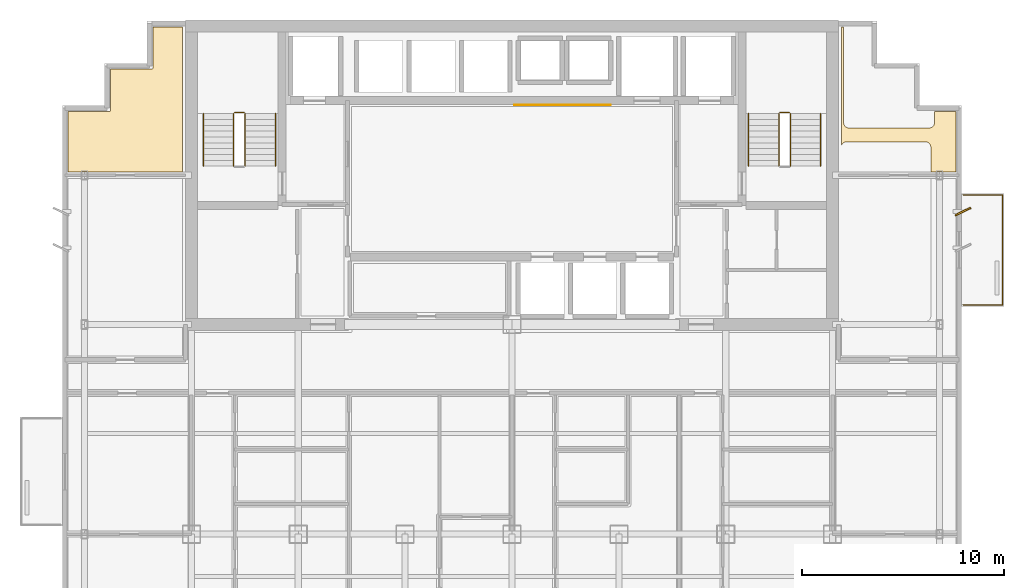
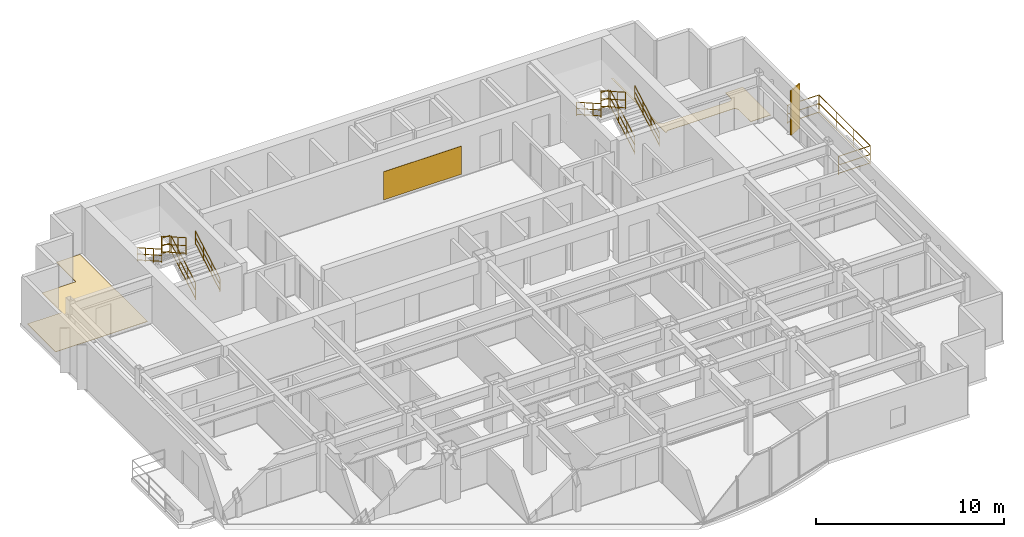
# One storey, part 11 of 11: 11 railings, 3 coverings, 1 shading device.
"""IFC4 building model written with IfcOpenShell, lengths in metres."""

from ifc_helpers import new_model, si_unit, direction, frame, origin, origin_2d, place, context, subcontext, project, spatial, polyline, rectangle, circle, outline, extrude, source, transform, mapped, material, layer, layer_set, type_object, element, save


model = new_model("IFC4")

# Units and contexts
model_context = context("Model", 3, precision=1e-05, world=origin(), true_north=direction((0.0, 1.0)))
body_context = subcontext(model_context, "Body", "Model", "MODEL_VIEW")
ifc_project = project(units=[si_unit("LENGTHUNIT", "METRE"), si_unit("AREAUNIT", "SQUARE_METRE"), si_unit("VOLUMEUNIT", "CUBIC_METRE"), si_unit("PLANEANGLEUNIT", "RADIAN"), si_unit("MASSUNIT", "GRAM", prefix="KILO")], contexts=[model_context])

# Site, building, storey
site_placement = place(None, origin())
site = spatial("IfcSite", under=ifc_project, at=site_placement, CompositionType="ELEMENT")
building_placement = place(site_placement, origin())
building = spatial("IfcBuilding", under=site, at=building_placement, Name="Qianlan Lanfeng Residences", CompositionType="ELEMENT")
storey_placement = place(building_placement, frame((0.0, 0.0, 155.699951171875)))
storey = spatial("IfcBuildingStorey", under=building, at=storey_placement, Name="L42", CompositionType="ELEMENT", Elevation=155.699951171875)

# Coverings
ifc_material_1 = material(Name="Anodised Bronze Feature Wall Cladding")
ifc_layer_1 = layer(ifc_material_1, 0.02490234375)
ifc_layer_set_1 = layer_set([ifc_layer_1], Name="Anodised Bronze Feature Wall Cladding")
covering_type_1 = type_object("IfcCoveringType", Name="CLD-BRZ-25", PredefinedType="CLADDING", material=ifc_layer_set_1)
covering_1_placement = place(storey_placement, frame((0.0, 0.0, 0.150146484375)))
element("IfcCovering", 1, at=covering_1_placement, inside=storey, type_object=covering_type_1, Name="L42 Lift Lobby Bronze Feature Cladding", PredefinedType="CLADDING", context=body_context, shape_type="SweptSolid", body=[
    extrude(outline(polyline([(26.60009765625, 36.074951171875), (31.39990234375, 36.074951171875), (31.39990234375, 36.10009765625), (26.60009765625, 36.10009765625), (26.60009765625, 36.074951171875)])), origin(), (0.0, 0.0, 1.0), 1.829833984375),
])
ifc_material_2 = material(Name="Engineered Smoked Oak Timber Flooring", Category="wood")
ifc_layer_2 = layer(ifc_material_2, 0.02197265625)
ifc_layer_set_2 = layer_set([ifc_layer_2], Name="Engineered Smoked Oak Timber Flooring")
covering_type_2 = type_object("IfcCoveringType", Name="FLR-TIM-22", PredefinedType="FLOORING", material=ifc_layer_set_2)
covering_2_placement = place(storey_placement, origin())
element("IfcCovering", 2, at=covering_2_placement, inside=storey, type_object=covering_type_2, Name="L42 Resident Lounge Floor Finish", PredefinedType="FLOORING", context=body_context, shape_type="SweptSolid", body=[
    extrude(outline(polyline([(4.489990234375, 32.75), (10.14990234375, 32.75), (10.14990234375, 39.9599609375), (8.68994140625, 39.9599609375), (8.68994140625, 37.929931640625), (8.68994140625, 37.923095703125), (8.68896484375, 37.916015625), (8.68701171875, 37.909912109375), (8.68505859375, 37.903076171875), (8.681884765625, 37.89697265625), (8.677978515625, 37.89111328125), (8.674072265625, 37.885986328125), (8.6689453125, 37.881103515625), (8.6640625, 37.8759765625), (8.658935546875, 37.8720703125), (8.653076171875, 37.867919921875), (8.64697265625, 37.864990234375), (8.639892578125, 37.863037109375), (8.634033203125, 37.861083984375), (8.626953125, 37.860107421875), (8.6201171875, 37.860107421875), (6.590087890625, 37.860107421875), (6.590087890625, 35.830078125), (6.590087890625, 35.822998046875), (6.589111328125, 35.81591796875), (6.5869140625, 35.81005859375), (6.5849609375, 35.802978515625), (6.58203125, 35.797119140625), (6.577880859375, 35.791015625), (6.573974609375, 35.785888671875), (6.569091796875, 35.781005859375), (6.56396484375, 35.77587890625), (6.55908203125, 35.77197265625), (6.552978515625, 35.76806640625), (6.547119140625, 35.764892578125), (6.5400390625, 35.762939453125), (6.533935546875, 35.760986328125), (6.527099609375, 35.760009765625), (6.52001953125, 35.760009765625), (4.489990234375, 35.760009765625), (4.489990234375, 32.75)])), origin(), (0.0, 0.0, 1.0), 0.02197265625),
])
covering_3_placement = place(storey_placement, origin())
element("IfcCovering", 3, at=covering_3_placement, inside=storey, type_object=covering_type_2, Name="L42 Resident Lounge Floor Finish", PredefinedType="FLOORING", context=body_context, shape_type="SweptSolid", body=[
    extrude(outline(polyline([(42.85009765625, 34.097900390625), (42.860107421875, 34.117919921875), (42.8720703125, 34.138916015625), (42.886962890625, 34.158935546875), (42.903076171875, 34.177001953125), (42.9208984375, 34.193115234375), (42.94091796875, 34.2080078125), (42.9619140625, 34.219970703125), (42.98388671875, 34.23095703125), (43.007080078125, 34.239013671875), (43.031005859375, 34.2451171875), (43.054931640625, 34.2490234375), (43.080078125, 34.25), (47.02001953125, 34.25), (47.044921875, 34.2490234375), (47.069091796875, 34.2451171875), (47.093017578125, 34.239013671875), (47.115966796875, 34.23095703125), (47.137939453125, 34.219970703125), (47.158935546875, 34.2080078125), (47.178955078125, 34.193115234375), (47.197021484375, 34.177001953125), (47.212890625, 34.158935546875), (47.22802734375, 34.138916015625), (47.239990234375, 34.117919921875), (47.2509765625, 34.095947265625), (47.259033203125, 34.072998046875), (47.264892578125, 34.049072265625), (47.26904296875, 34.02490234375), (47.27001953125, 34.0), (47.27001953125, 32.75), (48.510009765625, 32.75), (48.510009765625, 35.760009765625), (47.449951171875, 35.760009765625), (47.449951171875, 35.199951171875), (47.448974609375, 35.175048828125), (47.445068359375, 35.15087890625), (47.43896484375, 35.126953125), (47.430908203125, 35.10400390625), (47.419921875, 35.08203125), (47.407958984375, 35.06103515625), (47.39306640625, 35.041015625), (47.376953125, 35.02294921875), (47.35888671875, 35.007080078125), (47.339111328125, 34.991943359375), (47.318115234375, 34.97998046875), (47.2958984375, 34.968994140625), (47.27294921875, 34.9609375), (47.2490234375, 34.955078125), (47.22509765625, 34.950927734375), (47.199951171875, 34.949951171875), (43.199951171875, 34.949951171875), (43.175048828125, 34.950927734375), (43.15087890625, 34.955078125), (43.126953125, 34.9609375), (43.10400390625, 34.968994140625), (43.08203125, 34.97998046875), (43.06103515625, 34.991943359375), (43.041015625, 35.007080078125), (43.02294921875, 35.02294921875), (43.007080078125, 35.041015625), (42.991943359375, 35.06103515625), (42.97998046875, 35.08203125), (42.968994140625, 35.10400390625), (42.9609375, 35.126953125), (42.955078125, 35.15087890625), (42.950927734375, 35.175048828125), (42.949951171875, 35.199951171875), (42.949951171875, 39.9599609375), (42.85009765625, 39.9599609375), (42.85009765625, 34.097900390625)])), origin(), (0.0, 0.0, 1.0), 0.02197265625),
])

# Railings
ifc_material_3 = material(Name="Anodised Bronze Aluminium and Laminated Glass Guard Balustrade", Category="aluminium")
railing_type_1 = type_object("IfcRailingType", Name="GR-EXT-1220", PredefinedType="BALUSTRADE", material=ifc_material_3)
railing_1_placement = place(storey_placement, frame((48.8701171875, 31.6298828125, 0.0)))
element("IfcRailing", 4, at=railing_1_placement, inside=storey, type_object=railing_type_1, Name="L42 Terrace Safety Guard GR-L42-EB-N", PredefinedType="BALUSTRADE", context=body_context, shape_type="SweptSolid", body=[
    extrude(circle(Radius=0.02490234375, at=origin_2d()), frame((0.0, 0.0, 0.0849609375), z_axis=(1.0, 0.0, 0.0), x_axis=(0.0, 1.0, 0.0)), (0.0, 0.0, 1.0), 1.9599609375),
    extrude(circle(Radius=0.02490234375, at=origin_2d()), frame((0.0, 0.0, 0.63427734375), z_axis=(1.0, 0.0, 0.0), x_axis=(0.0, 1.0, 0.0)), (0.0, 0.0, 1.0), 1.9599609375),
    extrude(circle(Radius=0.02490234375, at=origin_2d()), frame((0.0, 0.0, 1.19482421875), z_axis=(1.0, 0.0, 0.0), x_axis=(0.0, 1.0, 0.0)), (0.0, 0.0, 1.0), 1.9599609375),
    extrude(circle(Radius=0.02490234375, at=origin_2d()), frame((1.9599609375, 0.0, 0.0849609375), z_axis=(0.0, -1.0, 0.0), x_axis=(1.0, 0.0, 0.0)), (0.0, 0.0, 1.0), 5.4599609375),
    extrude(circle(Radius=0.02490234375, at=origin_2d()), frame((1.9599609375, 0.0, 0.63427734375), z_axis=(0.0, -1.0, 0.0), x_axis=(1.0, 0.0, 0.0)), (0.0, 0.0, 1.0), 5.4599609375),
    extrude(circle(Radius=0.02490234375, at=origin_2d()), frame((1.9599609375, 0.0, 1.19482421875), z_axis=(0.0, -1.0, 0.0), x_axis=(1.0, 0.0, 0.0)), (0.0, 0.0, 1.0), 5.4599609375),
    extrude(circle(Radius=0.02490234375, at=origin_2d()), frame((1.9599609375, -5.4599609375, 0.0849609375), z_axis=(-1.0, 0.0, 0.0), x_axis=(0.0, -1.0, 0.0)), (0.0, 0.0, 1.0), 1.9599609375),
    extrude(circle(Radius=0.02490234375, at=origin_2d()), frame((1.9599609375, -5.4599609375, 0.63427734375), z_axis=(-1.0, 0.0, 0.0), x_axis=(0.0, -1.0, 0.0)), (0.0, 0.0, 1.0), 1.9599609375),
    extrude(circle(Radius=0.02490234375, at=origin_2d()), frame((1.9599609375, -5.4599609375, 1.19482421875), z_axis=(-1.0, 0.0, 0.0), x_axis=(0.0, -1.0, 0.0)), (0.0, 0.0, 1.0), 1.9599609375),
    extrude(circle(Radius=0.02099609375, at=origin_2d()), origin(), (0.0, 0.0, 1.0), 1.169921875),
    extrude(circle(Radius=0.02099609375, at=origin_2d()), frame((1.9599609375, 0.0, 0.0)), (0.0, 0.0, 1.0), 1.169921875),
    extrude(circle(Radius=0.02099609375, at=origin_2d()), frame((1.9599609375, -1.820068359375, 0.0)), (0.0, 0.0, 1.0), 1.169921875),
    extrude(circle(Radius=0.02099609375, at=origin_2d()), frame((1.9599609375, -3.639892578125, 0.0)), (0.0, 0.0, 1.0), 1.169921875),
    extrude(circle(Radius=0.02099609375, at=origin_2d()), frame((1.9599609375, -5.4599609375, 0.0)), (0.0, 0.0, 1.0), 1.169921875),
    extrude(circle(Radius=0.02099609375, at=origin_2d()), frame((0.0, -5.4599609375, 0.0)), (0.0, 0.0, 1.0), 1.169921875),
])
ifc_material_4 = material(Name="Painted Galvanised Steel Guardrail", Category="steel")
railing_type_2 = type_object("IfcRailingType", Name="GR-ST-1120", PredefinedType="GUARDRAIL", material=ifc_material_4)
railing_2_placement = place(storey_placement, frame((13.27001953125, 33.050048828125, 0.1650390625)))
element("IfcRailing", 5, at=railing_2_placement, inside=storey, type_object=railing_type_2, Name="L42 ST-1 stair guard 1", PredefinedType="GUARDRAIL", context=body_context, shape_type="SweptSolid", body=[
    extrude(circle(Radius=0.02392578125, at=origin_2d()), frame((0.0, 0.0, 0.083984375), z_axis=(0.0, 0.869137319866, 0.494570843475), x_axis=(-1.0, 0.0, 0.0)), (0.0, 0.0, 1.0), 3.0029296875),
    extrude(circle(Radius=0.02392578125, at=origin_2d()), frame((0.0, 0.0, 0.58251953125), z_axis=(0.0, 0.869137319866, 0.494570843475), x_axis=(-1.0, 0.0, 0.0)), (0.0, 0.0, 1.0), 3.0029296875),
    extrude(circle(Radius=0.02392578125, at=origin_2d()), frame((0.0, 0.0, 1.09619140625), z_axis=(0.0, 0.869137319866, 0.494570843475), x_axis=(-1.0, 0.0, 0.0)), (0.0, 0.0, 1.0), 3.0029296875),
    extrude(circle(Radius=0.02099609375, at=origin_2d()), origin(), (0.0, 0.0, 1.0), 1.072021484375),
    extrude(circle(Radius=0.02099609375, at=origin_2d()), frame((0.0, 0.869873046875, 0.4951171875)), (0.0, 0.0, 1.0), 1.072021484375),
    extrude(circle(Radius=0.02099609375, at=origin_2d()), frame((0.0, 1.739990234375, 0.989990234375)), (0.0, 0.0, 1.0), 1.072021484375),
    extrude(circle(Radius=0.02099609375, at=origin_2d()), frame((0.0, 2.60986328125, 1.485107421875)), (0.0, 0.0, 1.0), 1.072021484375),
])
railing_3_placement = place(storey_placement, frame((13.219970703125, 35.7099609375, 1.650146484375)))
element("IfcRailing", 6, at=railing_3_placement, inside=storey, type_object=railing_type_2, Name="L42 ST-1 stair guard 2", PredefinedType="GUARDRAIL", context=body_context, shape_type="SweptSolid", body=[
    extrude(circle(Radius=0.02392578125, at=origin_2d()), frame((0.0, 0.0, 0.083984375), z_axis=(-1.0, 0.0, 0.0), x_axis=(0.0, -1.0, 0.0)), (0.0, 0.0, 1.0), 0.47998046875),
    extrude(circle(Radius=0.02392578125, at=origin_2d()), frame((0.0, 0.0, 0.58251953125), z_axis=(-1.0, 0.0, 0.0), x_axis=(0.0, -1.0, 0.0)), (0.0, 0.0, 1.0), 0.47998046875),
    extrude(circle(Radius=0.02392578125, at=origin_2d()), frame((0.0, 0.0, 1.09619140625), z_axis=(-1.0, 0.0, 0.0), x_axis=(0.0, -1.0, 0.0)), (0.0, 0.0, 1.0), 0.47998046875),
    extrude(circle(Radius=0.02099609375, at=origin_2d()), origin(), (0.0, 0.0, 1.0), 1.072021484375),
    extrude(circle(Radius=0.02099609375, at=origin_2d()), frame((-0.47998046875, 0.0, 0.0)), (0.0, 0.0, 1.0), 1.072021484375),
])
railing_4_placement = place(storey_placement, frame((12.68994140625, 35.659912109375, 1.81494140625)))
element("IfcRailing", 7, at=railing_4_placement, inside=storey, type_object=railing_type_2, Name="L42 ST-1 stair guard 3", PredefinedType="GUARDRAIL", context=body_context, shape_type="SweptSolid", body=[
    extrude(circle(Radius=0.02392578125, at=origin_2d()), frame((0.0, 0.0, 0.083984375), z_axis=(0.0, -0.869137319866, 0.494570843475), x_axis=(1.0, 0.0, 0.0)), (0.0, 0.0, 1.0), 3.0029296875),
    extrude(circle(Radius=0.02392578125, at=origin_2d()), frame((0.0, 0.0, 0.58251953125), z_axis=(0.0, -0.869137319866, 0.494570843475), x_axis=(1.0, 0.0, 0.0)), (0.0, 0.0, 1.0), 3.0029296875),
    extrude(circle(Radius=0.02392578125, at=origin_2d()), frame((0.0, 0.0, 1.09619140625), z_axis=(0.0, -0.869137319866, 0.494570843475), x_axis=(1.0, 0.0, 0.0)), (0.0, 0.0, 1.0), 3.0029296875),
    extrude(circle(Radius=0.02099609375, at=origin_2d()), origin(), (0.0, 0.0, 1.0), 1.072021484375),
    extrude(circle(Radius=0.02099609375, at=origin_2d()), frame((0.0, -0.869873046875, 0.4951171875)), (0.0, 0.0, 1.0), 1.072021484375),
    extrude(circle(Radius=0.02099609375, at=origin_2d()), frame((0.0, -1.739990234375, 0.989990234375)), (0.0, 0.0, 1.0), 1.072021484375),
    extrude(circle(Radius=0.02099609375, at=origin_2d()), frame((0.0, -2.60986328125, 1.485107421875)), (0.0, 0.0, 1.0), 1.072021484375),
])
railing_5_placement = place(storey_placement, frame((40.31005859375, 33.050048828125, 0.1650390625)))
element("IfcRailing", 8, at=railing_5_placement, inside=storey, type_object=railing_type_2, Name="L42 ST-2 stair guard 1", PredefinedType="GUARDRAIL", context=body_context, shape_type="SweptSolid", body=[
    extrude(circle(Radius=0.02392578125, at=origin_2d()), frame((0.0, 0.0, 0.083984375), z_axis=(0.0, 0.869137319866, 0.494570843475), x_axis=(-1.0, 0.0, 0.0)), (0.0, 0.0, 1.0), 3.0029296875),
    extrude(circle(Radius=0.02392578125, at=origin_2d()), frame((0.0, 0.0, 0.58251953125), z_axis=(0.0, 0.869137319866, 0.494570843475), x_axis=(-1.0, 0.0, 0.0)), (0.0, 0.0, 1.0), 3.0029296875),
    extrude(circle(Radius=0.02392578125, at=origin_2d()), frame((0.0, 0.0, 1.09619140625), z_axis=(0.0, 0.869137319866, 0.494570843475), x_axis=(-1.0, 0.0, 0.0)), (0.0, 0.0, 1.0), 3.0029296875),
    extrude(circle(Radius=0.02099609375, at=origin_2d()), origin(), (0.0, 0.0, 1.0), 1.072021484375),
    extrude(circle(Radius=0.02099609375, at=origin_2d()), frame((0.0, 0.869873046875, 0.4951171875)), (0.0, 0.0, 1.0), 1.072021484375),
    extrude(circle(Radius=0.02099609375, at=origin_2d()), frame((0.0, 1.739990234375, 0.989990234375)), (0.0, 0.0, 1.0), 1.072021484375),
    extrude(circle(Radius=0.02099609375, at=origin_2d()), frame((0.0, 2.60986328125, 1.485107421875)), (0.0, 0.0, 1.0), 1.072021484375),
])
railing_6_placement = place(storey_placement, frame((40.260009765625, 35.7099609375, 1.650146484375)))
element("IfcRailing", 9, at=railing_6_placement, inside=storey, type_object=railing_type_2, Name="L42 ST-2 stair guard 2", PredefinedType="GUARDRAIL", context=body_context, shape_type="SweptSolid", body=[
    extrude(circle(Radius=0.02392578125, at=origin_2d()), frame((0.0, 0.0, 0.083984375), z_axis=(-1.0, 0.0, 0.0), x_axis=(0.0, -1.0, 0.0)), (0.0, 0.0, 1.0), 0.47998046875),
    extrude(circle(Radius=0.02392578125, at=origin_2d()), frame((0.0, 0.0, 0.58251953125), z_axis=(-1.0, 0.0, 0.0), x_axis=(0.0, -1.0, 0.0)), (0.0, 0.0, 1.0), 0.47998046875),
    extrude(circle(Radius=0.02392578125, at=origin_2d()), frame((0.0, 0.0, 1.09619140625), z_axis=(-1.0, 0.0, 0.0), x_axis=(0.0, -1.0, 0.0)), (0.0, 0.0, 1.0), 0.47998046875),
    extrude(circle(Radius=0.02099609375, at=origin_2d()), origin(), (0.0, 0.0, 1.0), 1.072021484375),
    extrude(circle(Radius=0.02099609375, at=origin_2d()), frame((-0.47998046875, 0.0, 0.0)), (0.0, 0.0, 1.0), 1.072021484375),
])
railing_7_placement = place(storey_placement, frame((39.72998046875, 35.659912109375, 1.81494140625)))
element("IfcRailing", 10, at=railing_7_placement, inside=storey, type_object=railing_type_2, Name="L42 ST-2 stair guard 3", PredefinedType="GUARDRAIL", context=body_context, shape_type="SweptSolid", body=[
    extrude(circle(Radius=0.02392578125, at=origin_2d()), frame((0.0, 0.0, 0.083984375), z_axis=(0.0, -0.869137319866, 0.494570843475), x_axis=(1.0, 0.0, 0.0)), (0.0, 0.0, 1.0), 3.0029296875),
    extrude(circle(Radius=0.02392578125, at=origin_2d()), frame((0.0, 0.0, 0.58251953125), z_axis=(0.0, -0.869137319866, 0.494570843475), x_axis=(1.0, 0.0, 0.0)), (0.0, 0.0, 1.0), 3.0029296875),
    extrude(circle(Radius=0.02392578125, at=origin_2d()), frame((0.0, 0.0, 1.09619140625), z_axis=(0.0, -0.869137319866, 0.494570843475), x_axis=(1.0, 0.0, 0.0)), (0.0, 0.0, 1.0), 3.0029296875),
    extrude(circle(Radius=0.02099609375, at=origin_2d()), origin(), (0.0, 0.0, 1.0), 1.072021484375),
    extrude(circle(Radius=0.02099609375, at=origin_2d()), frame((0.0, -0.869873046875, 0.4951171875)), (0.0, 0.0, 1.0), 1.072021484375),
    extrude(circle(Radius=0.02099609375, at=origin_2d()), frame((0.0, -1.739990234375, 0.989990234375)), (0.0, 0.0, 1.0), 1.072021484375),
    extrude(circle(Radius=0.02099609375, at=origin_2d()), frame((0.0, -2.60986328125, 1.485107421875)), (0.0, 0.0, 1.0), 1.072021484375),
])
ifc_material_5 = material(Name="Brushed Stainless Steel Handrail", Category="steel")
railing_type_3 = type_object("IfcRailingType", Name="HR-ST-920", PredefinedType="HANDRAIL", material=ifc_material_5)
railing_8_placement = place(storey_placement, frame((14.77001953125, 33.050048828125, 0.1650390625)))
element("IfcRailing", 11, at=railing_8_placement, inside=storey, type_object=railing_type_3, Name="L42 ST-1 stair handrail 1", PredefinedType="HANDRAIL", context=body_context, shape_type="SweptSolid", body=[
    extrude(circle(Radius=0.02392578125, at=origin_2d()), frame((0.0, 0.0, 0.083984375), z_axis=(0.0, 0.869137319866, 0.494570843475), x_axis=(-1.0, 0.0, 0.0)), (0.0, 0.0, 1.0), 3.0029296875),
    extrude(circle(Radius=0.02392578125, at=origin_2d()), frame((0.0, 0.0, 0.468017578125), z_axis=(0.0, 0.869137319866, 0.494570843475), x_axis=(-1.0, 0.0, 0.0)), (0.0, 0.0, 1.0), 3.0029296875),
    extrude(circle(Radius=0.02392578125, at=origin_2d()), frame((0.0, 0.0, 0.8759765625), z_axis=(0.0, 0.869137319866, 0.494570843475), x_axis=(-1.0, 0.0, 0.0)), (0.0, 0.0, 1.0), 3.0029296875),
    extrude(circle(Radius=0.02099609375, at=origin_2d()), origin(), (0.0, 0.0, 1.0), 0.851806640625),
    extrude(circle(Radius=0.02099609375, at=origin_2d()), frame((0.0, 0.869873046875, 0.4951171875)), (0.0, 0.0, 1.0), 0.851806640625),
    extrude(circle(Radius=0.02099609375, at=origin_2d()), frame((0.0, 1.739990234375, 0.989990234375)), (0.0, 0.0, 1.0), 0.851806640625),
    extrude(circle(Radius=0.02099609375, at=origin_2d()), frame((0.0, 2.60986328125, 1.485107421875)), (0.0, 0.0, 1.0), 0.851806640625),
])
railing_9_placement = place(storey_placement, frame((11.18994140625, 35.659912109375, 1.81494140625)))
element("IfcRailing", 12, at=railing_9_placement, inside=storey, type_object=railing_type_3, Name="L42 ST-1 stair handrail 2", PredefinedType="HANDRAIL", context=body_context, shape_type="SweptSolid", body=[
    extrude(circle(Radius=0.02392578125, at=origin_2d()), frame((0.0, 0.0, 0.083984375), z_axis=(0.0, -0.869137319866, 0.494570843475), x_axis=(1.0, 0.0, 0.0)), (0.0, 0.0, 1.0), 3.0029296875),
    extrude(circle(Radius=0.02392578125, at=origin_2d()), frame((0.0, 0.0, 0.468017578125), z_axis=(0.0, -0.869137319866, 0.494570843475), x_axis=(1.0, 0.0, 0.0)), (0.0, 0.0, 1.0), 3.0029296875),
    extrude(circle(Radius=0.02392578125, at=origin_2d()), frame((0.0, 0.0, 0.8759765625), z_axis=(0.0, -0.869137319866, 0.494570843475), x_axis=(1.0, 0.0, 0.0)), (0.0, 0.0, 1.0), 3.0029296875),
    extrude(circle(Radius=0.02099609375, at=origin_2d()), origin(), (0.0, 0.0, 1.0), 0.851806640625),
    extrude(circle(Radius=0.02099609375, at=origin_2d()), frame((0.0, -0.869873046875, 0.4951171875)), (0.0, 0.0, 1.0), 0.851806640625),
    extrude(circle(Radius=0.02099609375, at=origin_2d()), frame((0.0, -1.739990234375, 0.989990234375)), (0.0, 0.0, 1.0), 0.851806640625),
    extrude(circle(Radius=0.02099609375, at=origin_2d()), frame((0.0, -2.60986328125, 1.485107421875)), (0.0, 0.0, 1.0), 0.851806640625),
])
railing_10_placement = place(storey_placement, frame((41.81005859375, 33.050048828125, 0.1650390625)))
element("IfcRailing", 13, at=railing_10_placement, inside=storey, type_object=railing_type_3, Name="L42 ST-2 stair handrail 1", PredefinedType="HANDRAIL", context=body_context, shape_type="SweptSolid", body=[
    extrude(circle(Radius=0.02392578125, at=origin_2d()), frame((0.0, 0.0, 0.083984375), z_axis=(0.0, 0.869137319866, 0.494570843475), x_axis=(-1.0, 0.0, 0.0)), (0.0, 0.0, 1.0), 3.0029296875),
    extrude(circle(Radius=0.02392578125, at=origin_2d()), frame((0.0, 0.0, 0.468017578125), z_axis=(0.0, 0.869137319866, 0.494570843475), x_axis=(-1.0, 0.0, 0.0)), (0.0, 0.0, 1.0), 3.0029296875),
    extrude(circle(Radius=0.02392578125, at=origin_2d()), frame((0.0, 0.0, 0.8759765625), z_axis=(0.0, 0.869137319866, 0.494570843475), x_axis=(-1.0, 0.0, 0.0)), (0.0, 0.0, 1.0), 3.0029296875),
    extrude(circle(Radius=0.02099609375, at=origin_2d()), origin(), (0.0, 0.0, 1.0), 0.851806640625),
    extrude(circle(Radius=0.02099609375, at=origin_2d()), frame((0.0, 0.869873046875, 0.4951171875)), (0.0, 0.0, 1.0), 0.851806640625),
    extrude(circle(Radius=0.02099609375, at=origin_2d()), frame((0.0, 1.739990234375, 0.989990234375)), (0.0, 0.0, 1.0), 0.851806640625),
    extrude(circle(Radius=0.02099609375, at=origin_2d()), frame((0.0, 2.60986328125, 1.485107421875)), (0.0, 0.0, 1.0), 0.851806640625),
])
railing_11_placement = place(storey_placement, frame((38.22998046875, 35.659912109375, 1.81494140625)))
element("IfcRailing", 14, at=railing_11_placement, inside=storey, type_object=railing_type_3, Name="L42 ST-2 stair handrail 2", PredefinedType="HANDRAIL", context=body_context, shape_type="SweptSolid", body=[
    extrude(circle(Radius=0.02392578125, at=origin_2d()), frame((0.0, 0.0, 0.083984375), z_axis=(0.0, -0.869137319866, 0.494570843475), x_axis=(1.0, 0.0, 0.0)), (0.0, 0.0, 1.0), 3.0029296875),
    extrude(circle(Radius=0.02392578125, at=origin_2d()), frame((0.0, 0.0, 0.468017578125), z_axis=(0.0, -0.869137319866, 0.494570843475), x_axis=(1.0, 0.0, 0.0)), (0.0, 0.0, 1.0), 3.0029296875),
    extrude(circle(Radius=0.02392578125, at=origin_2d()), frame((0.0, 0.0, 0.8759765625), z_axis=(0.0, -0.869137319866, 0.494570843475), x_axis=(1.0, 0.0, 0.0)), (0.0, 0.0, 1.0), 3.0029296875),
    extrude(circle(Radius=0.02099609375, at=origin_2d()), origin(), (0.0, 0.0, 1.0), 0.851806640625),
    extrude(circle(Radius=0.02099609375, at=origin_2d()), frame((0.0, -0.869873046875, 0.4951171875)), (0.0, 0.0, 1.0), 0.851806640625),
    extrude(circle(Radius=0.02099609375, at=origin_2d()), frame((0.0, -1.739990234375, 0.989990234375)), (0.0, 0.0, 1.0), 0.851806640625),
    extrude(circle(Radius=0.02099609375, at=origin_2d()), frame((0.0, -2.60986328125, 1.485107421875)), (0.0, 0.0, 1.0), 0.851806640625),
])

# Shading device
ifc_material_6 = material(Name="Anodised Bronze Aluminium Solar Fin", Category="aluminium")
shading_device_type = type_object("IfcShadingDeviceType", Name="FIN-BRZ-850", PredefinedType="SHUTTER", material=ifc_material_6)
shared_shape = source(origin(), body_context, "Body", "SweptSolid", [
    extrude(rectangle(XDim=0.85009765625, YDim=0.080078125, at=origin_2d()), origin(), (0.0, 0.0, 1.0), 2.89990234375),
])
shading_device_placement = place(storey_placement, frame((48.8701171875, 30.800048828125, 0.0), z_axis=(0.0, 0.0, 1.0), x_axis=(0.898794046299, 0.438371146789, 0.0)))
element("IfcShadingDevice", 15, at=shading_device_placement, inside=storey, type_object=shading_device_type, Name="L42 Raked Bronze Solar Fin E2", PredefinedType="SHUTTER", context=body_context, shape_type="MappedRepresentation", body=[
    mapped(shared_shape, transform((0.0, 0.0, 0.0), scale=1.0)),
])

save(model, "model.ifc")
